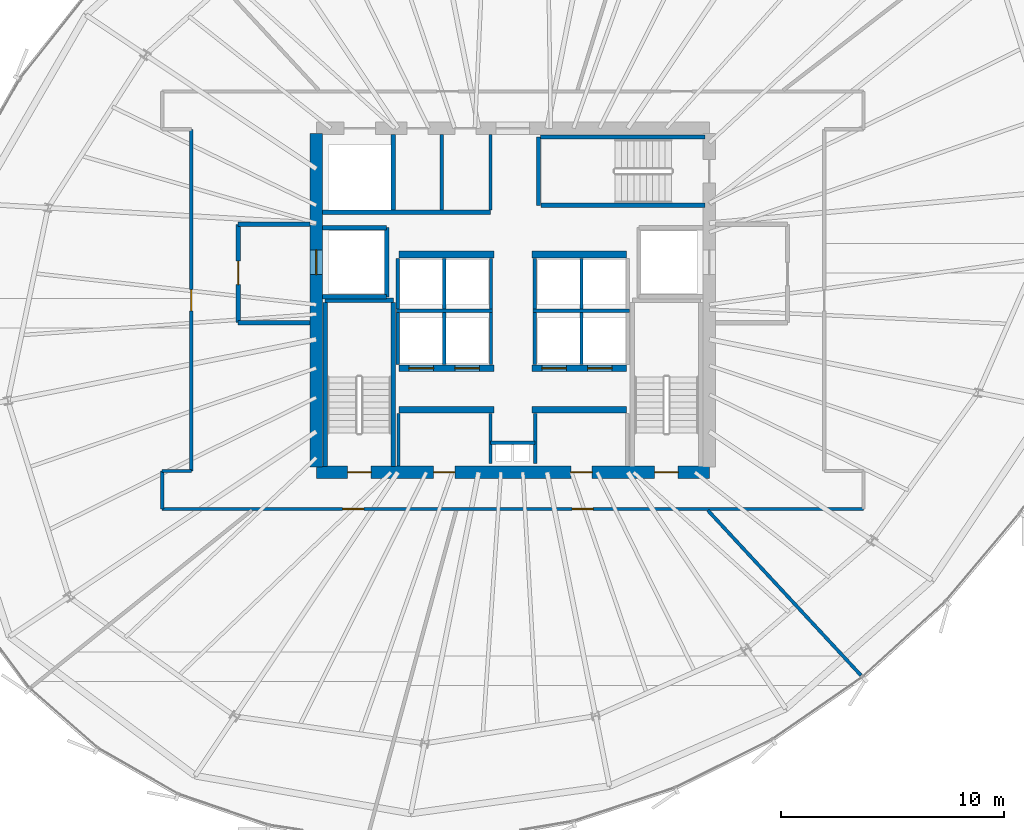
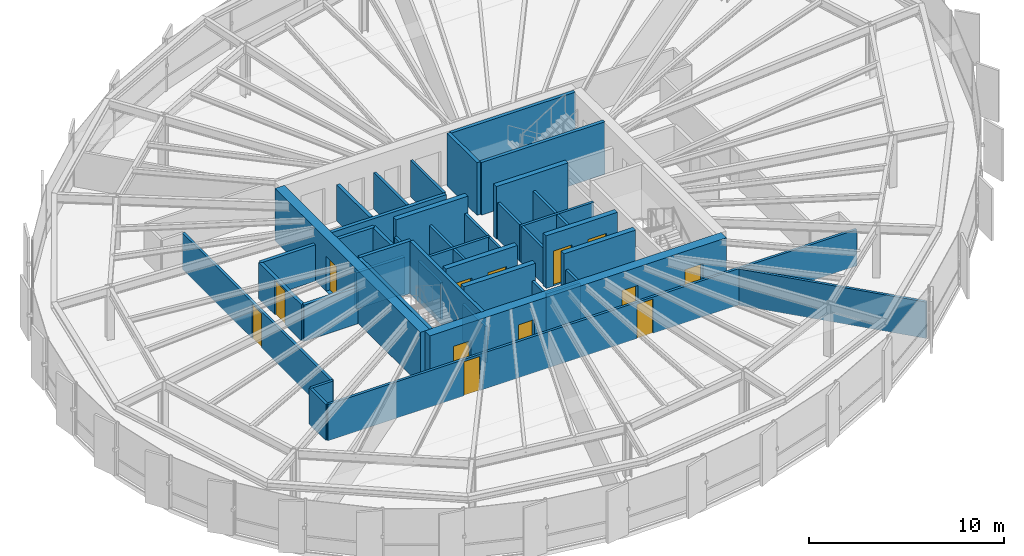
# One storey, part 26 of 32: 45 walls, 13 doors, 13 openings.
"""IFC4 building model written with IfcOpenShell, lengths in metres."""

from ifc_helpers import new_model, si_unit, direction, frame, frame_2d, origin, place, context, subcontext, project, spatial, rectangle, extrude, source, transform, mapped, material, layer, layer_set, type_object, element, fill, save


model = new_model("IFC4")

# Units and contexts
model_context = context("Model", 3, precision=1e-05, world=origin(), true_north=direction((0.0, 1.0)))
body_context = subcontext(model_context, "Body", "Model", "MODEL_VIEW")
ifc_project = project(units=[si_unit("LENGTHUNIT", "METRE"), si_unit("AREAUNIT", "SQUARE_METRE"), si_unit("VOLUMEUNIT", "CUBIC_METRE"), si_unit("PLANEANGLEUNIT", "RADIAN"), si_unit("MASSUNIT", "GRAM", prefix="KILO"), si_unit("THERMODYNAMICTEMPERATUREUNIT", "KELVIN")], contexts=[model_context])

# Site, building, storey
site_placement = place(None, origin())
site = spatial("IfcSite", under=ifc_project, at=site_placement, CompositionType="ELEMENT")
building_placement = place(site_placement, origin())
building = spatial("IfcBuilding", under=site, at=building_placement, Name="Kethvar Cultural Tower", CompositionType="ELEMENT")
storey_placement = place(building_placement, frame((0.0, 0.0, 157.199951171875)))
storey = spatial("IfcBuildingStorey", under=building, at=storey_placement, Name="L40", CompositionType="ELEMENT", Elevation=157.199951171875)

# Wall, openings, doors
ifc_material_1 = material(Name="Concrete C60/75", Category="concrete")
ifc_layer_1 = layer(ifc_material_1, 0.550048828125, Name="Concrete C60/75", Category="concrete")
ifc_layer_set_1 = layer_set([ifc_layer_1], Name="Concrete C60/75 (550 mm)")
wall_type_1 = type_object("IfcWallType", Name="WL-CORE-550", PredefinedType="SHEAR", material=ifc_layer_set_1)
wall_1_placement = place(storey_placement, frame((38.0, 20.10009765625, 0.0), z_axis=(0.0, 0.0, 1.0), x_axis=(1.0, 0.0, 0.0)))
wall_1 = element("IfcWall", 1, at=wall_1_placement, inside=storey, type_object=wall_type_1, Name="L40 Core Shear Wall S", PredefinedType="SHEAR", context=body_context, shape_type="SweptSolid", body=[
    extrude(rectangle(XDim=17.60009765625, YDim=0.550048828125, at=frame_2d((8.800048828125, 0.0))), origin(), (0.0, 0.0, 1.0), 3.300048828125),
])
opening_1_placement = place(wall_1_placement, frame((1.39990234375, 0.0, 0.0)))
opening_1 = element("IfcOpeningElement", 2, at=opening_1_placement, cuts=wall_1, Name="Opening D-L40-S1", PredefinedType="OPENING", context=body_context, shape_type="SweptSolid", body=[
    extrude(rectangle(XDim=1.050048828125, YDim=2.14990234375, at=frame_2d((0.52490234375, 1.074951171875))), frame((0.0, 0.284912109375, 0.0), z_axis=(0.0, -1.0, 0.0), x_axis=(1.0, 0.0, 0.0)), (0.0, 0.0, 1.0), 0.570068359375),
])
opening_2_placement = place(wall_1_placement, frame((15.14990234375, 0.0, 0.0)))
opening_2 = element("IfcOpeningElement", 3, at=opening_2_placement, cuts=wall_1, Name="Opening D-L40-ST2", PredefinedType="OPENING", context=body_context, shape_type="SweptSolid", body=[
    extrude(rectangle(XDim=1.050048828125, YDim=2.14990234375, at=frame_2d((0.52490234375, 1.074951171875))), frame((0.0, 0.284912109375, 0.0), z_axis=(0.0, -1.0, 0.0), x_axis=(1.0, 0.0, 0.0)), (0.0, 0.0, 1.0), 0.570068359375),
])
opening_3_placement = place(wall_1_placement, frame((5.25, 0.0, 0.0)))
opening_3 = element("IfcOpeningElement", 4, at=opening_3_placement, cuts=wall_1, Name="Opening D-L40-V1", PredefinedType="OPENING", context=body_context, shape_type="SweptSolid", body=[
    extrude(rectangle(XDim=0.949951171875, YDim=2.14990234375, at=frame_2d((0.47509765625, 1.074951171875))), frame((0.0, 0.284912109375, 0.0), z_axis=(0.0, -1.0, 0.0), x_axis=(1.0, 0.0, 0.0)), (0.0, 0.0, 1.0), 0.570068359375),
])
opening_4_placement = place(wall_1_placement, frame((11.39990234375, 0.0, 0.0)))
opening_4 = element("IfcOpeningElement", 5, at=opening_4_placement, cuts=wall_1, Name="Opening D-L40-V2", PredefinedType="OPENING", context=body_context, shape_type="SweptSolid", body=[
    extrude(rectangle(XDim=0.949951171875, YDim=2.14990234375, at=frame_2d((0.47509765625, 1.074951171875))), frame((0.0, 0.284912109375, 0.0), z_axis=(0.0, -1.0, 0.0), x_axis=(1.0, 0.0, 0.0)), (0.0, 0.0, 1.0), 0.570068359375),
])
ifc_material_2 = material(Name="Steel S355J2", Category="steel")
door_type_1 = type_object("IfcDoorType", Name="DR-FD60-1050", OperationType="NOTDEFINED", PredefinedType="DOOR", material=ifc_material_2)
shared_shape_1 = source(origin(), body_context, "Body", "SweptSolid", [
    extrude(rectangle(XDim=1.050048828125, YDim=2.14990234375, at=frame_2d((0.52490234375, 1.074951171875))), frame((0.0, 0.02490234375, 0.0), z_axis=(0.0, -1.0, 0.0), x_axis=(1.0, 0.0, 0.0)), (0.0, 0.0, 1.0), 0.050048828125),
])
door_1_placement = place(opening_1_placement, origin())
door_1 = element("IfcDoor", 6, at=door_1_placement, inside=storey, type_object=door_type_1, Name="L40 Exit Stair 1 Door", OperationType="SINGLE_SWING_LEFT", OverallHeight=2.14990234375, OverallWidth=1.050048828125, PredefinedType="DOOR", context=body_context, shape_type="MappedRepresentation", body=[
    mapped(shared_shape_1, transform((0.0, 0.0, 0.0), scale=1.0)),
])
fill(opening_1, door_1)
door_2_placement = place(opening_2_placement, origin())
door_2 = element("IfcDoor", 7, at=door_2_placement, inside=storey, type_object=door_type_1, Name="L40 Exit Stair 2 Door", OperationType="SINGLE_SWING_RIGHT", OverallHeight=2.14990234375, OverallWidth=1.050048828125, PredefinedType="DOOR", context=body_context, shape_type="MappedRepresentation", body=[
    mapped(shared_shape_1, transform((0.0, 0.0, 0.0), scale=1.0)),
])
fill(opening_2, door_2)
ifc_material_3 = material(Name="Architectural Oak Timber", Category="wood")
door_type_2 = type_object("IfcDoorType", Name="DR-FD30-950", OperationType="NOTDEFINED", PredefinedType="DOOR", material=ifc_material_3)
shared_shape_2 = source(origin(), body_context, "Body", "SweptSolid", [
    extrude(rectangle(XDim=0.949951171875, YDim=2.14990234375, at=frame_2d((0.47509765625, 1.074951171875))), frame((0.0, 0.02490234375, 0.0), z_axis=(0.0, -1.0, 0.0), x_axis=(1.0, 0.0, 0.0)), (0.0, 0.0, 1.0), 0.050048828125),
])
door_3_placement = place(opening_3_placement, origin())
door_3 = element("IfcDoor", 8, at=door_3_placement, inside=storey, type_object=door_type_2, Name="L40 Reclaimed West Room Door", OperationType="SINGLE_SWING_LEFT", OverallHeight=2.14990234375, OverallWidth=0.949951171875, PredefinedType="DOOR", context=body_context, shape_type="MappedRepresentation", body=[
    mapped(shared_shape_2, transform((0.0, 0.0, 0.0), scale=1.0)),
])
fill(opening_3, door_3)
door_4_placement = place(opening_4_placement, origin())
door_4 = element("IfcDoor", 9, at=door_4_placement, inside=storey, type_object=door_type_2, Name="L40 Reclaimed East Room Door", OperationType="SINGLE_SWING_RIGHT", OverallHeight=2.14990234375, OverallWidth=0.949951171875, PredefinedType="DOOR", context=body_context, shape_type="MappedRepresentation", body=[
    mapped(shared_shape_2, transform((0.0, 0.0, 0.0), scale=1.0)),
])
fill(opening_4, door_4)

# Wall, opening, door
wall_2_placement = place(storey_placement, frame((38.0, 35.260009765625, 0.0), z_axis=(0.0, 0.0, 1.0), x_axis=(0.0, -1.0, 0.0)))
wall_2 = element("IfcWall", 10, at=wall_2_placement, inside=storey, type_object=wall_type_1, Name="L40 Core Shear Wall W", PredefinedType="SHEAR", context=body_context, shape_type="SweptSolid", body=[
    extrude(rectangle(XDim=14.919921875, YDim=0.550048828125, at=frame_2d((7.4599609375, 0.0))), origin(), (0.0, 0.0, 1.0), 3.300048828125),
])
opening_5_placement = place(wall_2_placement, frame((5.2099609375, 0.0, 0.0)))
opening_5 = element("IfcOpeningElement", 11, at=opening_5_placement, cuts=wall_2, Name="Opening LD-1", PredefinedType="OPENING", context=body_context, shape_type="SweptSolid", body=[
    extrude(rectangle(XDim=1.10009765625, YDim=2.199951171875, at=frame_2d((0.550048828125, 1.10009765625))), frame((0.0, 0.284912109375, 0.0), z_axis=(0.0, -1.0, 0.0), x_axis=(1.0, 0.0, 0.0)), (0.0, 0.0, 1.0), 0.570068359375),
])
door_type_3 = type_object("IfcDoorType", Name="DR-LIFT-SLIDE-1100", OperationType="NOTDEFINED", PredefinedType="DOOR", material=ifc_material_2)
shared_shape_3 = source(origin(), body_context, "Body", "SweptSolid", [
    extrude(rectangle(XDim=1.10009765625, YDim=2.199951171875, at=frame_2d((0.550048828125, 1.10009765625))), frame((0.0, 0.02490234375, 0.0), z_axis=(0.0, -1.0, 0.0), x_axis=(1.0, 0.0, 0.0)), (0.0, 0.0, 1.0), 0.050048828125),
])
door_5_placement = place(opening_5_placement, origin())
door_5 = element("IfcDoor", 12, at=door_5_placement, inside=storey, type_object=door_type_3, Name="L40 Firefighting Lift Landing Door FFL-01", OperationType="SLIDING_TO_LEFT", OverallHeight=2.199951171875, OverallWidth=1.10009765625, PredefinedType="DOOR", context=body_context, shape_type="MappedRepresentation", body=[
    mapped(shared_shape_3, transform((0.0, 0.0, 0.0), scale=1.0)),
])
fill(opening_5, door_5)

# Walls
ifc_material_4 = material(Name="Gypsum Fireboard Partition")
ifc_layer_2 = layer(ifc_material_4, 0.14990234375, Name="Gypsum Fireboard Partition")
ifc_layer_set_2 = layer_set([ifc_layer_2], Name="Gypsum Fireboard Partition (150 mm)")
wall_type_2 = type_object("IfcWallType", Name="WL-FIRE-150", PredefinedType="PARTITIONING", material=ifc_layer_set_2)
wall_3_placement = place(storey_placement, frame((45.800048828125, 21.419921875, 0.0), z_axis=(0.0, 0.0, 1.0), x_axis=(1.0, 0.0, 0.0)))
element("IfcWall", 13, at=wall_3_placement, inside=storey, type_object=wall_type_2, Name="L40 Core Riser Wall", PredefinedType="PARTITIONING", context=body_context, shape_type="SweptSolid", body=[
    extrude(rectangle(XDim=2.0, YDim=0.14990234375, at=frame_2d((1.0, 0.0))), origin(), (0.0, 0.0, 1.0), 2.280029296875),
])
for number, where, z_axis, x_axis, name in (
    (14, (45.800048828125, 20.47998046875, 0.0), (0.0, 0.0, 1.0), (0.0, 1.0, 0.0), "L40 Core Riser West Wall"),
    (15, (47.800048828125, 20.47998046875, 0.0), (0.0, 0.0, 1.0), (0.0, 1.0, 0.0), "L40 Core Riser East Wall"),
):
    element("IfcWall", number, at=place(storey_placement, frame(where, z_axis=z_axis, x_axis=x_axis)), inside=storey, type_object=wall_type_2, Name=name, PredefinedType="PARTITIONING", context=body_context, shape_type="SweptSolid", body=[
        extrude(rectangle(XDim=2.239990234375, YDim=0.14990234375, at=frame_2d((1.1201171875, 0.0))), origin(), (0.0, 0.0, 1.0), 2.280029296875),
    ])
wall_4_placement = place(storey_placement, frame((41.679931640625, 20.385009765625, 0.0), z_axis=(0.0, 0.0, 1.0), x_axis=(0.0, 1.0, 0.0)))
element("IfcWall", 16, at=wall_4_placement, inside=storey, type_object=wall_type_2, Name="L40 Reclaimed West Outer Wall", PredefinedType="PARTITIONING", context=body_context, shape_type="SweptSolid", body=[
    extrude(rectangle(XDim=2.344970703125, YDim=0.14990234375, at=frame_2d((1.17236328125, 0.0))), origin(), (0.0, 0.0, 1.0), 2.280029296875),
])
wall_5_placement = place(storey_placement, frame((41.580078125, 27.324951171875, 0.0), z_axis=(0.0, 0.0, 1.0), x_axis=(1.0, 0.0, 0.0)))
element("IfcWall", 17, at=wall_5_placement, inside=storey, type_object=wall_type_2, Name="L40 Mid-High Lift Shaft Back Wall W", PredefinedType="PARTITIONING", context=body_context, shape_type="SweptSolid", body=[
    extrude(rectangle(XDim=4.31982421875, YDim=0.14990234375, at=frame_2d((2.159912109375, 0.0))), origin(), (0.0, 0.0, 1.0), 2.280029296875),
])
wall_6_placement = place(storey_placement, frame((47.699951171875, 27.324951171875, 0.0), z_axis=(0.0, 0.0, 1.0), x_axis=(1.0, 0.0, 0.0)))
element("IfcWall", 18, at=wall_6_placement, inside=storey, type_object=wall_type_2, Name="L40 Mid-High Lift Shaft Back Wall E", PredefinedType="PARTITIONING", context=body_context, shape_type="SweptSolid", body=[
    extrude(rectangle(XDim=4.320068359375, YDim=0.14990234375, at=frame_2d((2.16015625, 0.0))), origin(), (0.0, 0.0, 1.0), 2.280029296875),
])
for number, where, z_axis, x_axis, name in (
    (19, (41.64990234375, 24.919921875, 0.0), (0.0, 0.0, 1.0), (0.0, 1.0, 0.0), "L40 Mid-Rise Lift Shaft Outer Wall W"),
    (20, (43.72509765625, 24.919921875, 0.0), (0.0, 0.0, 1.0), (0.0, 1.0, 0.0), "L40 Mid-Rise Lift Shaft Divider W"),
    (21, (45.824951171875, 24.919921875, 0.0), (0.0, 0.0, 1.0), (0.0, 1.0, 0.0), "L40 Mid-Rise Lift Shaft Concourse Wall W"),
    (22, (47.77490234375, 24.919921875, 0.0), (0.0, 0.0, 1.0), (0.0, 1.0, 0.0), "L40 Mid-Rise Lift Shaft Concourse Wall E"),
    (23, (49.875, 24.919921875, 0.0), (0.0, 0.0, 1.0), (0.0, 1.0, 0.0), "L40 Mid-Rise Lift Shaft Divider E"),
):
    element("IfcWall", number, at=place(storey_placement, frame(where, z_axis=z_axis, x_axis=x_axis)), inside=storey, type_object=wall_type_2, Name=name, PredefinedType="PARTITIONING", context=body_context, shape_type="SweptSolid", body=[
        extrude(rectangle(XDim=2.320068359375, YDim=0.14990234375, at=frame_2d((1.16015625, 0.0))), origin(), (0.0, 0.0, 1.0), 2.280029296875),
    ])
for number, where, z_axis, x_axis, name in (
    (24, (41.64990234375, 27.409912109375, 0.0), (0.0, 0.0, 1.0), (0.0, 1.0, 0.0), "L40 High-Rise Lift Shaft Outer Wall W"),
    (25, (43.72509765625, 27.409912109375, 0.0), (0.0, 0.0, 1.0), (0.0, 1.0, 0.0), "L40 High-Rise Lift Shaft Divider W"),
    (26, (45.824951171875, 27.409912109375, 0.0), (0.0, 0.0, 1.0), (0.0, 1.0, 0.0), "L40 High-Rise Lift Shaft Concourse Wall W"),
    (27, (47.77490234375, 27.409912109375, 0.0), (0.0, 0.0, 1.0), (0.0, 1.0, 0.0), "L40 High-Rise Lift Shaft Concourse Wall E"),
    (28, (49.875, 27.409912109375, 0.0), (0.0, 0.0, 1.0), (0.0, 1.0, 0.0), "L40 High-Rise Lift Shaft Divider E"),
):
    element("IfcWall", number, at=place(storey_placement, frame(where, z_axis=z_axis, x_axis=x_axis)), inside=storey, type_object=wall_type_2, Name=name, PredefinedType="PARTITIONING", context=body_context, shape_type="SweptSolid", body=[
        extrude(rectangle(XDim=2.27001953125, YDim=0.14990234375, at=frame_2d((1.135009765625, 0.0))), origin(), (0.0, 0.0, 1.0), 2.280029296875),
    ])
wall_7_placement = place(storey_placement, frame((45.800048828125, 31.85009765625, 0.0), z_axis=(0.0, 0.0, 1.0), x_axis=(0.0, 1.0, 0.0)))
element("IfcWall", 29, at=wall_7_placement, inside=storey, type_object=wall_type_2, Name="L40 Sanitary Spine Wall", PredefinedType="PARTITIONING", context=body_context, shape_type="SweptSolid", body=[
    extrude(rectangle(XDim=3.364990234375, YDim=0.14990234375, at=frame_2d((1.6826171875, 0.0))), origin(), (0.0, 0.0, 1.0), 2.280029296875),
])

# Wall, openings, doors
wall_8_placement = place(storey_placement, frame((31.10009765625, 18.449951171875, 0.0), z_axis=(0.0, 0.0, 1.0), x_axis=(1.0, 0.0, 0.0)))
wall_8 = element("IfcWall", 30, at=wall_8_placement, inside=storey, type_object=wall_type_2, Name="L40 Corridor Rated Wall S", PredefinedType="PARTITIONING", context=body_context, shape_type="SweptSolid", body=[
    extrude(rectangle(XDim=31.39990234375, YDim=0.14990234375, at=frame_2d((15.699951171875, 0.0))), origin(), (0.0, 0.0, 1.0), 2.280029296875),
])
opening_6_placement = place(wall_8_placement, frame((8.07373046875, 0.0, 0.0)))
opening_6 = element("IfcOpeningElement", 31, at=opening_6_placement, cuts=wall_8, Name="Opening D-L40-01", PredefinedType="OPENING", context=body_context, shape_type="SweptSolid", body=[
    extrude(rectangle(XDim=0.949951171875, YDim=2.14990234375, at=frame_2d((0.47509765625, 1.074951171875))), frame((0.0, 0.0849609375, 0.0), z_axis=(0.0, -1.0, 0.0), x_axis=(1.0, 0.0, 0.0)), (0.0, 0.0, 1.0), 0.169921875),
])
opening_7_placement = place(wall_8_placement, frame((18.3505859375, 0.0, 0.0)))
opening_7 = element("IfcOpeningElement", 32, at=opening_7_placement, cuts=wall_8, Name="Opening D-L40-02", PredefinedType="OPENING", context=body_context, shape_type="SweptSolid", body=[
    extrude(rectangle(XDim=0.949951171875, YDim=2.14990234375, at=frame_2d((0.47509765625, 1.074951171875))), frame((0.0, 0.0849609375, 0.0), z_axis=(0.0, -1.0, 0.0), x_axis=(1.0, 0.0, 0.0)), (0.0, 0.0, 1.0), 0.169921875),
])
door_6_placement = place(opening_6_placement, origin())
door_6 = element("IfcDoor", 33, at=door_6_placement, inside=storey, type_object=door_type_2, Name="L40 Periodicals Reading Lounge 01 Door", OperationType="SINGLE_SWING_LEFT", OverallHeight=2.14990234375, OverallWidth=0.949951171875, PredefinedType="DOOR", context=body_context, shape_type="MappedRepresentation", body=[
    mapped(shared_shape_2, transform((0.0, 0.0, 0.0), scale=1.0)),
])
fill(opening_6, door_6)
door_7_placement = place(opening_7_placement, origin())
door_7 = element("IfcDoor", 34, at=door_7_placement, inside=storey, type_object=door_type_2, Name="L40 Members' Dining Lounge 02 Door", OperationType="SINGLE_SWING_RIGHT", OverallHeight=2.14990234375, OverallWidth=0.949951171875, PredefinedType="DOOR", context=body_context, shape_type="MappedRepresentation", body=[
    mapped(shared_shape_2, transform((0.0, 0.0, 0.0), scale=1.0)),
])
fill(opening_7, door_7)

# Wall, opening, door
wall_9_placement = place(storey_placement, frame((32.39990234375, 35.449951171875, 0.0), z_axis=(0.0, 0.0, 1.0), x_axis=(0.0, -1.0, 0.0)))
wall_9 = element("IfcWall", 35, at=wall_9_placement, inside=storey, type_object=wall_type_2, Name="L40 Corridor Rated Wall WM", PredefinedType="PARTITIONING", context=body_context, shape_type="SweptSolid", body=[
    extrude(rectangle(XDim=15.300048828125, YDim=0.14990234375, at=frame_2d((7.64990234375, 0.0))), origin(), (0.0, 0.0, 1.0), 2.280029296875),
])
opening_8_placement = place(wall_9_placement, frame((7.175048828125, 0.0, 0.0)))
opening_8 = element("IfcOpeningElement", 36, at=opening_8_placement, cuts=wall_9, Name="Opening D-L40-06", PredefinedType="OPENING", context=body_context, shape_type="SweptSolid", body=[
    extrude(rectangle(XDim=0.949951171875, YDim=2.14990234375, at=frame_2d((0.47509765625, 1.074951171875))), frame((0.0, 0.0849609375, 0.0), z_axis=(0.0, -1.0, 0.0), x_axis=(1.0, 0.0, 0.0)), (0.0, 0.0, 1.0), 0.169921875),
])
door_8_placement = place(opening_8_placement, origin())
door_8 = element("IfcDoor", 37, at=door_8_placement, inside=storey, type_object=door_type_2, Name="L40 Rare Folio Storage 06 Door", OperationType="SINGLE_SWING_RIGHT", OverallHeight=2.14990234375, OverallWidth=0.949951171875, PredefinedType="DOOR", context=body_context, shape_type="MappedRepresentation", body=[
    mapped(shared_shape_2, transform((0.0, 0.0, 0.0), scale=1.0)),
])
fill(opening_8, door_8)

# Walls
wall_10_placement = place(storey_placement, frame((32.39990234375, 20.14990234375, 0.0), z_axis=(0.0, 0.0, 1.0), x_axis=(-1.0, 0.0, 0.0)))
element("IfcWall", 38, at=wall_10_placement, inside=storey, type_object=wall_type_2, Name="L40 Corridor Rated Wall WST", PredefinedType="PARTITIONING", context=body_context, shape_type="SweptSolid", body=[
    extrude(rectangle(XDim=1.2998046875, YDim=0.14990234375, at=frame_2d((0.64990234375, 0.0))), origin(), (0.0, 0.0, 1.0), 2.280029296875),
])
wall_11_placement = place(storey_placement, frame((31.10009765625, 20.14990234375, 0.0), z_axis=(0.0, 0.0, 1.0), x_axis=(0.0, -1.0, 0.0)))
element("IfcWall", 39, at=wall_11_placement, inside=storey, type_object=wall_type_2, Name="L40 Corridor Rated Wall WS", PredefinedType="PARTITIONING", context=body_context, shape_type="SweptSolid", body=[
    extrude(rectangle(XDim=1.699951171875, YDim=0.14990234375, at=frame_2d((0.85009765625, 0.0))), origin(), (0.0, 0.0, 1.0), 2.280029296875),
])
ifc_material_5 = material(Name="Concrete C40/50", Category="concrete")
ifc_layer_3 = layer(ifc_material_5, 0.199951171875, Name="Concrete C40/50", Category="concrete")
ifc_layer_set_3 = layer_set([ifc_layer_3], Name="Concrete C40/50 (200 mm)")
wall_type_3 = type_object("IfcWallType", Name="WL-FIRE-200", PredefinedType="PARTITIONING", material=ifc_layer_set_3)
wall_12_placement = place(storey_placement, frame((41.14990234375, 27.949951171875, 0.0), z_axis=(0.0, 0.0, 1.0), x_axis=(0.0, 1.0, 0.0)))
element("IfcWall", 40, at=wall_12_placement, inside=storey, type_object=wall_type_3, Name="L40 FFL-01 Shaft Inner Wall", PredefinedType="PARTITIONING", context=body_context, shape_type="SweptSolid", body=[
    extrude(rectangle(XDim=3.10009765625, YDim=0.199951171875, at=frame_2d((1.550048828125, 0.0))), origin(), (0.0, 0.0, 1.0), 2.280029296875),
])
for number, where, z_axis, x_axis, name in (
    (41, (38.284912109375, 27.949951171875, 0.0), (0.0, 0.0, 1.0), (1.0, 0.0, 0.0), "L40 FFL-01 Shaft South Wall"),
    (42, (38.284912109375, 31.050048828125, 0.0), (0.0, 0.0, 1.0), (1.0, 0.0, 0.0), "L40 FFL-01 Shaft North Wall"),
):
    element("IfcWall", number, at=place(storey_placement, frame(where, z_axis=z_axis, x_axis=x_axis)), inside=storey, type_object=wall_type_3, Name=name, PredefinedType="PARTITIONING", context=body_context, shape_type="SweptSolid", body=[
        extrude(rectangle(XDim=2.864990234375, YDim=0.199951171875, at=frame_2d((1.4326171875, 0.0))), origin(), (0.0, 0.0, 1.0), 2.280029296875),
    ])

# Wall, opening, door
wall_13_placement = place(storey_placement, frame((34.5, 31.199951171875, 0.0), z_axis=(0.0, 0.0, 1.0), x_axis=(0.0, -1.0, 0.0)))
wall_13 = element("IfcWall", 43, at=wall_13_placement, inside=storey, type_object=wall_type_3, Name="L40 Firefighting Lobby 1 Wall", PredefinedType="PARTITIONING", context=body_context, shape_type="SweptSolid", body=[
    extrude(rectangle(XDim=4.39990234375, YDim=0.199951171875, at=frame_2d((2.199951171875, 0.0))), origin(), (0.0, 0.0, 1.0), 2.280029296875),
])
opening_9_placement = place(wall_13_placement, frame((1.64990234375, 0.0, 0.0)))
opening_9 = element("IfcOpeningElement", 44, at=opening_9_placement, cuts=wall_13, Name="Opening D-L40-F1", PredefinedType="OPENING", context=body_context, shape_type="SweptSolid", body=[
    extrude(rectangle(XDim=1.050048828125, YDim=2.14990234375, at=frame_2d((0.52490234375, 1.074951171875))), frame((0.0, 0.10986328125, 0.0), z_axis=(0.0, -1.0, 0.0), x_axis=(1.0, 0.0, 0.0)), (0.0, 0.0, 1.0), 0.219970703125),
])
door_9_placement = place(opening_9_placement, origin())
door_9 = element("IfcDoor", 45, at=door_9_placement, inside=storey, type_object=door_type_1, Name="L40 Firefighting Lobby 1 Fire Door", OperationType="SINGLE_SWING_LEFT", OverallHeight=2.14990234375, OverallWidth=1.050048828125, PredefinedType="DOOR", context=body_context, shape_type="MappedRepresentation", body=[
    mapped(shared_shape_1, transform((0.0, 0.0, 0.0), scale=1.0)),
])
fill(opening_9, door_9)

# Walls
for number, where, z_axis, x_axis, name in (
    (46, (34.5, 26.800048828125, 0.0), (0.0, 0.0, 1.0), (1.0, 0.0, 0.0), "L40 FF Lobby 1 South Wall"),
    (47, (34.5, 31.199951171875, 0.0), (0.0, 0.0, 1.0), (1.0, 0.0, 0.0), "L40 FF Lobby 1 North Wall"),
):
    element("IfcWall", number, at=place(storey_placement, frame(where, z_axis=z_axis, x_axis=x_axis)), inside=storey, type_object=wall_type_3, Name=name, PredefinedType="PARTITIONING", context=body_context, shape_type="SweptSolid", body=[
        extrude(rectangle(XDim=3.215087890625, YDim=0.199951171875, at=frame_2d((1.607421875, 0.0))), origin(), (0.0, 0.0, 1.0), 2.280029296875),
    ])
wall_14_placement = place(storey_placement, frame((41.449951171875, 31.85009765625, 0.0), z_axis=(0.0, 0.0, 1.0), x_axis=(0.0, 1.0, 0.0)))
element("IfcWall", 48, at=wall_14_placement, inside=storey, type_object=wall_type_3, Name="L40 NW Core Pocket Wall", PredefinedType="PARTITIONING", context=body_context, shape_type="SweptSolid", body=[
    extrude(rectangle(XDim=3.364990234375, YDim=0.199951171875, at=frame_2d((1.6826171875, 0.0))), origin(), (0.0, 0.0, 1.0), 2.280029296875),
])
wall_15_placement = place(storey_placement, frame((38.284912109375, 31.72998046875, 0.0), z_axis=(0.0, 0.0, 1.0), x_axis=(1.0, 0.0, 0.0)))
element("IfcWall", 49, at=wall_15_placement, inside=storey, type_object=wall_type_3, Name="L40 North Core Sanitary South Wall", PredefinedType="PARTITIONING", context=body_context, shape_type="SweptSolid", body=[
    extrude(rectangle(XDim=7.51513671875, YDim=0.199951171875, at=frame_2d((3.757568359375, 0.0))), origin(), (0.0, 0.0, 1.0), 2.280029296875),
])
ifc_material_6 = material(Name="Gypsum Acoustic Partition")
ifc_layer_4 = layer(ifc_material_6, 0.14990234375, Name="Gypsum Acoustic Partition")
ifc_layer_set_4 = layer_set([ifc_layer_4], Name="Gypsum Acoustic Partition (150 mm)")
wall_type_4 = type_object("IfcWallType", Name="WL-PART-150", PredefinedType="PARTITIONING", material=ifc_layer_set_4)
wall_16_placement = place(storey_placement, frame((55.531005859375, 18.391357421875, 0.0), z_axis=(0.0, 0.0, 1.0), x_axis=(0.680268944675, -0.732962593119, 0.0)))
element("IfcWall", 50, at=wall_16_placement, inside=storey, type_object=wall_type_4, Name="L40 Radial Partition Wall 03", PredefinedType="PARTITIONING", context=body_context, shape_type="SweptSolid", body=[
    extrude(rectangle(XDim=10.0771484375, YDim=0.14990234375, at=frame_2d((5.03857421875, 0.0))), origin(), (0.0, 0.0, 1.0), 2.280029296875),
])
ifc_material_7 = material(Name="Moisture-Resistant Sanitary Chase Wall")
ifc_layer_5 = layer(ifc_material_7, 0.14990234375, Name="Moisture-Resistant Sanitary Chase Wall")
ifc_layer_set_5 = layer_set([ifc_layer_5], Name="Moisture-Resistant Sanitary Chase Wall (150 mm)")
wall_type_5 = type_object("IfcWallType", Name="WL-PLUMB-150", PredefinedType="PLUMBINGWALL", material=ifc_layer_set_5)
wall_17_placement = place(storey_placement, frame((43.6201171875, 31.85009765625, 0.0), z_axis=(0.0, 0.0, 1.0), x_axis=(0.0, 1.0, 0.0)))
element("IfcWall", 51, at=wall_17_placement, inside=storey, type_object=wall_type_5, Name="L40 Sanitary Plumbing Wall", PredefinedType="PLUMBINGWALL", context=body_context, shape_type="SweptSolid", body=[
    extrude(rectangle(XDim=3.364990234375, YDim=0.14990234375, at=frame_2d((1.6826171875, 0.0))), origin(), (0.0, 0.0, 1.0), 2.280029296875),
])
ifc_material_8 = material(Name="Concrete C50/60", Category="concrete")
ifc_layer_6 = layer(ifc_material_8, 0.300048828125, Name="Concrete C50/60", Category="concrete")
ifc_layer_set_6 = layer_set([ifc_layer_6], Name="Concrete C50/60 (300 mm)")
wall_type_6 = type_object("IfcWallType", Name="WL-SHAFT-300", PredefinedType="SHEAR", material=ifc_layer_set_6)
for number, where, z_axis, x_axis, name in (
    (52, (41.699951171875, 22.89990234375, 0.0), (0.0, 0.0, 1.0), (1.0, 0.0, 0.0), "L40 Core Lift Spine Wall MID1W"),
    (53, (47.64990234375, 22.89990234375, 0.0), (0.0, 0.0, 1.0), (1.0, 0.0, 0.0), "L40 Core Lift Spine Wall MID1E"),
):
    element("IfcWall", number, at=place(storey_placement, frame(where, z_axis=z_axis, x_axis=x_axis)), inside=storey, type_object=wall_type_6, Name=name, PredefinedType="SHEAR", context=body_context, shape_type="SweptSolid", body=[
        extrude(rectangle(XDim=4.25, YDim=0.300048828125, at=frame_2d((2.125, 0.0))), origin(), (0.0, 0.0, 1.0), 3.300048828125),
    ])

# Wall, openings, doors
wall_18_placement = place(storey_placement, frame((41.699951171875, 24.75, 0.0), z_axis=(0.0, 0.0, 1.0), x_axis=(1.0, 0.0, 0.0)))
wall_18 = element("IfcWall", 54, at=wall_18_placement, inside=storey, type_object=wall_type_6, Name="L40 Core Lift Spine Wall MID2W", PredefinedType="SHEAR", context=body_context, shape_type="SweptSolid", body=[
    extrude(rectangle(XDim=4.25, YDim=0.300048828125, at=frame_2d((2.125, 0.0))), origin(), (0.0, 0.0, 1.0), 3.300048828125),
])
opening_10_placement = place(wall_18_placement, frame((0.449951171875, 0.0, 0.0)))
opening_10 = element("IfcOpeningElement", 55, at=opening_10_placement, cuts=wall_18, Name="Opening LD-M1", PredefinedType="OPENING", context=body_context, shape_type="SweptSolid", body=[
    extrude(rectangle(XDim=1.10009765625, YDim=2.199951171875, at=frame_2d((0.550048828125, 1.10009765625))), frame((0.0, 0.159912109375, 0.0), z_axis=(0.0, -1.0, 0.0), x_axis=(1.0, 0.0, 0.0)), (0.0, 0.0, 1.0), 0.320068359375),
])
opening_11_placement = place(wall_18_placement, frame((2.5, 0.0, 0.0)))
opening_11 = element("IfcOpeningElement", 56, at=opening_11_placement, cuts=wall_18, Name="Opening LD-M2", PredefinedType="OPENING", context=body_context, shape_type="SweptSolid", body=[
    extrude(rectangle(XDim=1.10009765625, YDim=2.199951171875, at=frame_2d((0.550048828125, 1.10009765625))), frame((0.0, 0.159912109375, 0.0), z_axis=(0.0, -1.0, 0.0), x_axis=(1.0, 0.0, 0.0)), (0.0, 0.0, 1.0), 0.320068359375),
])
door_10_placement = place(opening_10_placement, origin())
door_10 = element("IfcDoor", 57, at=door_10_placement, inside=storey, type_object=door_type_3, Name="L40 Mid-Rise Lift Landing Door M1", OperationType="SLIDING_TO_RIGHT", OverallHeight=2.199951171875, OverallWidth=1.10009765625, PredefinedType="DOOR", context=body_context, shape_type="MappedRepresentation", body=[
    mapped(shared_shape_3, transform((0.0, 0.0, 0.0), scale=1.0)),
])
fill(opening_10, door_10)
door_11_placement = place(opening_11_placement, origin())
door_11 = element("IfcDoor", 58, at=door_11_placement, inside=storey, type_object=door_type_3, Name="L40 Mid-Rise Lift Landing Door M2", OperationType="SLIDING_TO_RIGHT", OverallHeight=2.199951171875, OverallWidth=1.10009765625, PredefinedType="DOOR", context=body_context, shape_type="MappedRepresentation", body=[
    mapped(shared_shape_3, transform((0.0, 0.0, 0.0), scale=1.0)),
])
fill(opening_11, door_11)

wall_19_placement = place(storey_placement, frame((47.64990234375, 24.75, 0.0), z_axis=(0.0, 0.0, 1.0), x_axis=(1.0, 0.0, 0.0)))
wall_19 = element("IfcWall", 59, at=wall_19_placement, inside=storey, type_object=wall_type_6, Name="L40 Core Lift Spine Wall MID2E", PredefinedType="SHEAR", context=body_context, shape_type="SweptSolid", body=[
    extrude(rectangle(XDim=4.25, YDim=0.300048828125, at=frame_2d((2.125, 0.0))), origin(), (0.0, 0.0, 1.0), 3.300048828125),
])
opening_12_placement = place(wall_19_placement, frame((0.449951171875, 0.0, 0.0)))
opening_12 = element("IfcOpeningElement", 60, at=opening_12_placement, cuts=wall_19, Name="Opening LD-M3", PredefinedType="OPENING", context=body_context, shape_type="SweptSolid", body=[
    extrude(rectangle(XDim=1.10009765625, YDim=2.199951171875, at=frame_2d((0.550048828125, 1.10009765625))), frame((0.0, 0.159912109375, 0.0), z_axis=(0.0, -1.0, 0.0), x_axis=(1.0, 0.0, 0.0)), (0.0, 0.0, 1.0), 0.320068359375),
])
opening_13_placement = place(wall_19_placement, frame((2.5, 0.0, 0.0)))
opening_13 = element("IfcOpeningElement", 61, at=opening_13_placement, cuts=wall_19, Name="Opening LD-M4", PredefinedType="OPENING", context=body_context, shape_type="SweptSolid", body=[
    extrude(rectangle(XDim=1.10009765625, YDim=2.199951171875, at=frame_2d((0.550048828125, 1.10009765625))), frame((0.0, 0.159912109375, 0.0), z_axis=(0.0, -1.0, 0.0), x_axis=(1.0, 0.0, 0.0)), (0.0, 0.0, 1.0), 0.320068359375),
])
door_12_placement = place(opening_12_placement, origin())
door_12 = element("IfcDoor", 62, at=door_12_placement, inside=storey, type_object=door_type_3, Name="L40 Mid-Rise Lift Landing Door M3", OperationType="SLIDING_TO_RIGHT", OverallHeight=2.199951171875, OverallWidth=1.10009765625, PredefinedType="DOOR", context=body_context, shape_type="MappedRepresentation", body=[
    mapped(shared_shape_3, transform((0.0, 0.0, 0.0), scale=1.0)),
])
fill(opening_12, door_12)
door_13_placement = place(opening_13_placement, origin())
door_13 = element("IfcDoor", 63, at=door_13_placement, inside=storey, type_object=door_type_3, Name="L40 Mid-Rise Lift Landing Door M4", OperationType="SLIDING_TO_RIGHT", OverallHeight=2.199951171875, OverallWidth=1.10009765625, PredefinedType="DOOR", context=body_context, shape_type="MappedRepresentation", body=[
    mapped(shared_shape_3, transform((0.0, 0.0, 0.0), scale=1.0)),
])
fill(opening_13, door_13)

# Walls
for number, where, z_axis, x_axis, name in (
    (64, (41.699951171875, 29.85009765625, 0.0), (0.0, 0.0, 1.0), (1.0, 0.0, 0.0), "L40 Core Lift Spine Wall MID3W"),
    (65, (47.64990234375, 29.85009765625, 0.0), (0.0, 0.0, 1.0), (1.0, 0.0, 0.0), "L40 Core Lift Spine Wall MID3E"),
):
    element("IfcWall", number, at=place(storey_placement, frame(where, z_axis=z_axis, x_axis=x_axis)), inside=storey, type_object=wall_type_6, Name=name, PredefinedType="SHEAR", context=body_context, shape_type="SweptSolid", body=[
        extrude(rectangle(XDim=4.25, YDim=0.300048828125, at=frame_2d((2.125, 0.0))), origin(), (0.0, 0.0, 1.0), 3.300048828125),
    ])
ifc_layer_7 = layer(ifc_material_8, 0.199951171875, Name="Concrete C50/60", Category="concrete")
ifc_layer_set_7 = layer_set([ifc_layer_7], Name="Concrete C50/60 (200 mm)")
wall_type_7 = type_object("IfcWallType", Name="WL-STSHAFT-200", PredefinedType="SHEAR", material=ifc_layer_set_7)
wall_20_placement = place(storey_placement, frame((38.389892578125, 27.800048828125, 0.0), z_axis=(0.0, 0.0, 1.0), x_axis=(1.0, 0.0, 0.0)))
element("IfcWall", 66, at=wall_20_placement, inside=storey, type_object=wall_type_7, Name="L40 ST-01 Stair Shaft Wall FAR", PredefinedType="SHEAR", context=body_context, shape_type="SweptSolid", body=[
    extrude(rectangle(XDim=3.06005859375, YDim=0.199951171875, at=frame_2d((1.530029296875, 0.0))), origin(), (0.0, 0.0, 1.0), 3.300048828125),
])
for number, where, z_axis, x_axis, name in (
    (67, (41.449951171875, 27.699951171875, 0.0), (0.0, 0.0, 1.0), (0.0, -1.0, 0.0), "L40 ST-01 Stair Shaft Wall LEFT"),
    (68, (38.389892578125, 20.35009765625, 0.0), (0.0, 0.0, 1.0), (0.0, 1.0, 0.0), "L40 ST-01 Stair Shaft Wall RIGHT"),
):
    element("IfcWall", number, at=place(storey_placement, frame(where, z_axis=z_axis, x_axis=x_axis)), inside=storey, type_object=wall_type_7, Name=name, PredefinedType="SHEAR", context=body_context, shape_type="SweptSolid", body=[
        extrude(rectangle(XDim=7.349853515625, YDim=0.199951171875, at=frame_2d((3.6748046875, 0.0))), origin(), (0.0, 0.0, 1.0), 3.300048828125),
    ])
wall_21_placement = place(storey_placement, frame((47.949951171875, 32.050048828125, 0.0), z_axis=(0.0, 0.0, 1.0), x_axis=(0.0, 1.0, 0.0)))
element("IfcWall", 69, at=wall_21_placement, inside=storey, type_object=wall_type_7, Name="L40 ST-03 Stair Shaft Wall FAR", PredefinedType="SHEAR", context=body_context, shape_type="SweptSolid", body=[
    extrude(rectangle(XDim=3.06005859375, YDim=0.199951171875, at=frame_2d((1.530029296875, 0.0))), origin(), (0.0, 0.0, 1.0), 3.300048828125),
])
for number, where, z_axis, x_axis, name in (
    (70, (48.050048828125, 35.110107421875, 0.0), (0.0, 0.0, 1.0), (1.0, 0.0, 0.0), "L40 ST-03 Stair Shaft Wall LEFT"),
    (71, (55.39990234375, 32.050048828125, 0.0), (0.0, 0.0, 1.0), (-1.0, 0.0, 0.0), "L40 ST-03 Stair Shaft Wall RIGHT"),
):
    element("IfcWall", number, at=place(storey_placement, frame(where, z_axis=z_axis, x_axis=x_axis)), inside=storey, type_object=wall_type_7, Name=name, PredefinedType="SHEAR", context=body_context, shape_type="SweptSolid", body=[
        extrude(rectangle(XDim=7.349853515625, YDim=0.199951171875, at=frame_2d((3.6748046875, 0.0))), origin(), (0.0, 0.0, 1.0), 3.300048828125),
    ])

save(model, "model.ifc")
